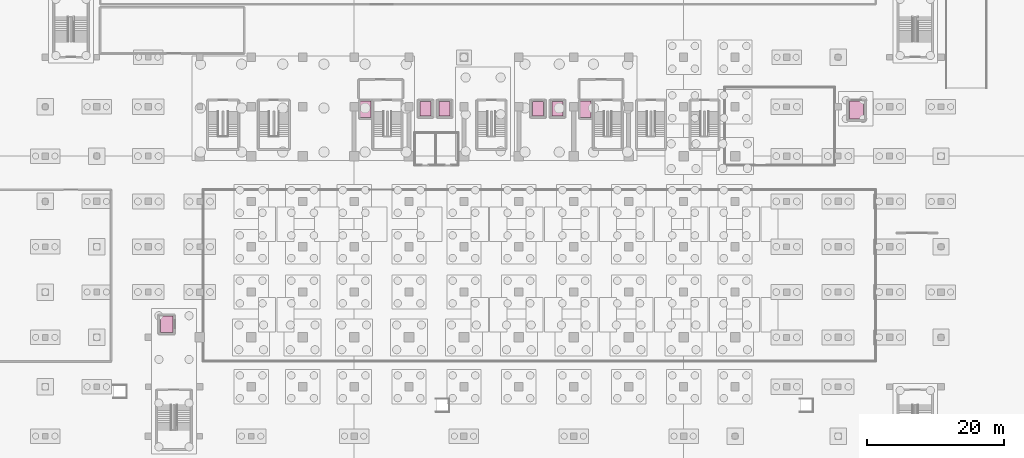
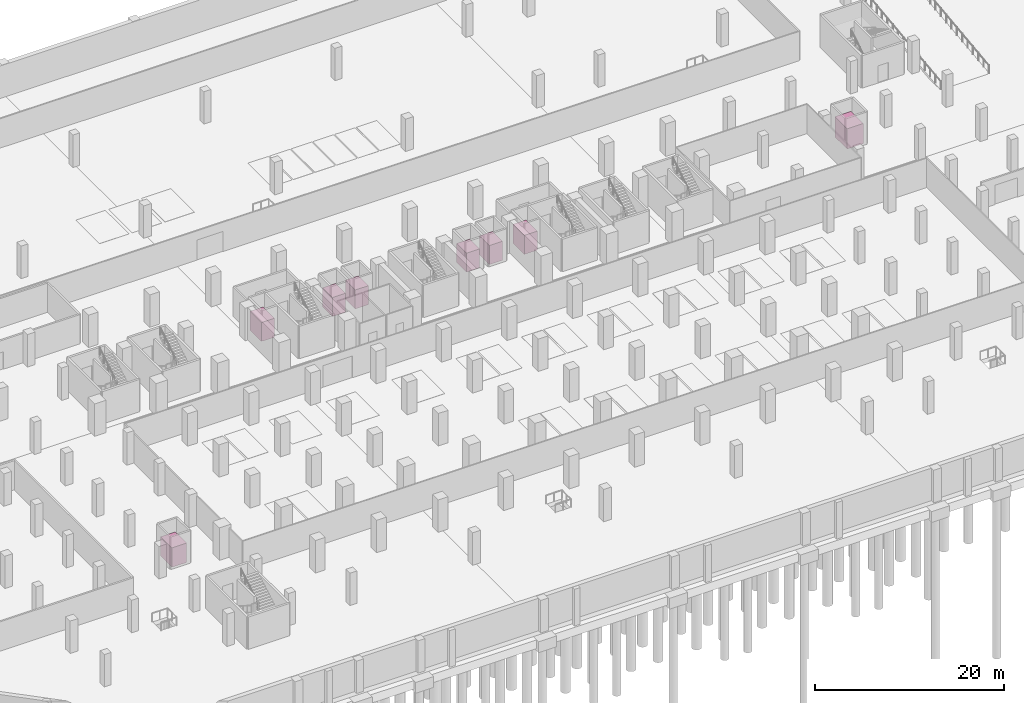
# One storey, part 26 of 26: 8 transport elements.
"""IFC4 building model written with IfcOpenShell, lengths in metres."""

from ifc_helpers import new_model, si_unit, direction, frame, origin, origin_2d, place, context, subcontext, project, spatial, rectangle, extrude, material, type_object, element, save


model = new_model("IFC4")

# Units and contexts
model_context = context("Model", 3, precision=1e-05, world=origin(), true_north=direction((0.0, 1.0)))
body_context = subcontext(model_context, "Body", "Model", "MODEL_VIEW")
ifc_project = project(units=[si_unit("LENGTHUNIT", "METRE"), si_unit("AREAUNIT", "SQUARE_METRE"), si_unit("VOLUMEUNIT", "CUBIC_METRE"), si_unit("PLANEANGLEUNIT", "RADIAN"), si_unit("MASSUNIT", "GRAM", prefix="KILO")], contexts=[model_context])

# Site, building, storey
site_placement = place(None, origin())
site = spatial("IfcSite", under=ifc_project, at=site_placement, CompositionType="ELEMENT")
building_placement = place(site_placement, origin())
building = spatial("IfcBuilding", under=site, at=building_placement, Name="Akrevak Sports Hall", CompositionType="ELEMENT")
storey_placement = place(building_placement, frame((0.0, 0.0, -9.0)))
storey = spatial("IfcBuildingStorey", under=building, at=storey_placement, Name="B02", CompositionType="ELEMENT", Elevation=-9.0)

# Transport elements
ifc_material = material(Name="Brushed Stainless Steel 304", Category="steel")
transport_element_type_1 = type_object("IfcTransportElementType", Name="ARC-LIFT-LF-FF1", PredefinedType="ELEVATOR", material=ifc_material)
transport_element_1_placement = place(storey_placement, frame((61.625, 62.02490234375, 0.0), z_axis=(0.0, 0.0, 1.0), x_axis=(1.0, 0.0, 0.0)))
element("IfcTransportElement", 1, at=transport_element_1_placement, inside=storey, type_object=transport_element_type_1, Name="Emergency Firefighting Lift LF-FF1", PredefinedType="ELEVATOR", context=body_context, shape_type="SweptSolid", body=[
    extrude(rectangle(XDim=1.60009765625, YDim=2.39990234375, at=origin_2d()), origin(), (0.0, 0.0, 1.0), 2.449951171875),
])
transport_element_type_2 = type_object("IfcTransportElementType", Name="ARC-LIFT-LF-FF2", PredefinedType="ELEVATOR", material=ifc_material)
transport_element_2_placement = place(storey_placement, frame((93.72509765625, 62.02490234375, 0.0), z_axis=(0.0, 0.0, 1.0), x_axis=(1.0, 0.0, 0.0)))
element("IfcTransportElement", 2, at=transport_element_2_placement, inside=storey, type_object=transport_element_type_2, Name="Emergency Firefighting Lift LF-FF2", PredefinedType="ELEVATOR", context=body_context, shape_type="SweptSolid", body=[
    extrude(rectangle(XDim=1.60009765625, YDim=2.39990234375, at=origin_2d()), origin(), (0.0, 0.0, 1.0), 2.449951171875),
])
transport_element_type_3 = type_object("IfcTransportElementType", Name="ARC-LIFT-LF-G1", PredefinedType="ELEVATOR", material=ifc_material)
transport_element_3_placement = place(storey_placement, frame((32.699951171875, 30.699951171875, 0.0), z_axis=(0.0, 0.0, 1.0), x_axis=(1.0, 0.0, 0.0)))
element("IfcTransportElement", 3, at=transport_element_3_placement, inside=storey, type_object=transport_element_type_3, Name="Sports & Clinic Stretcher Lift LF-G1", PredefinedType="ELEVATOR", context=body_context, shape_type="SweptSolid", body=[
    extrude(rectangle(XDim=1.800048828125, YDim=2.39990234375, at=origin_2d()), origin(), (0.0, 0.0, 1.0), 2.5),
])
transport_element_type_4 = type_object("IfcTransportElementType", Name="ARC-LIFT-LF-P1", PredefinedType="ELEVATOR", material=ifc_material)
transport_element_4_placement = place(storey_placement, frame((70.39990234375, 62.10009765625, 0.0), z_axis=(0.0, 0.0, 1.0), x_axis=(1.0, 0.0, 0.0)))
element("IfcTransportElement", 4, at=transport_element_4_placement, inside=storey, type_object=transport_element_type_4, Name="Tower Passenger Lift LF-P1", PredefinedType="ELEVATOR", context=body_context, shape_type="SweptSolid", body=[
    extrude(rectangle(XDim=1.60009765625, YDim=2.10009765625, at=origin_2d()), origin(), (0.0, 0.0, 1.0), 2.449951171875),
])
transport_element_type_5 = type_object("IfcTransportElementType", Name="ARC-LIFT-LF-P2", PredefinedType="ELEVATOR", material=ifc_material)
transport_element_5_placement = place(storey_placement, frame((73.199951171875, 62.10009765625, 0.0), z_axis=(0.0, 0.0, 1.0), x_axis=(1.0, 0.0, 0.0)))
element("IfcTransportElement", 5, at=transport_element_5_placement, inside=storey, type_object=transport_element_type_5, Name="Tower Passenger Lift LF-P2", PredefinedType="ELEVATOR", context=body_context, shape_type="SweptSolid", body=[
    extrude(rectangle(XDim=1.60009765625, YDim=2.10009765625, at=origin_2d()), origin(), (0.0, 0.0, 1.0), 2.449951171875),
])
transport_element_type_6 = type_object("IfcTransportElementType", Name="ARC-LIFT-LF-P3", PredefinedType="ELEVATOR", material=ifc_material)
transport_element_6_placement = place(storey_placement, frame((86.800048828125, 62.10009765625, 0.0), z_axis=(0.0, 0.0, 1.0), x_axis=(1.0, 0.0, 0.0)))
element("IfcTransportElement", 6, at=transport_element_6_placement, inside=storey, type_object=transport_element_type_6, Name="Tower Passenger Lift LF-P3", PredefinedType="ELEVATOR", context=body_context, shape_type="SweptSolid", body=[
    extrude(rectangle(XDim=1.60009765625, YDim=2.10009765625, at=origin_2d()), origin(), (0.0, 0.0, 1.0), 2.449951171875),
])
transport_element_type_7 = type_object("IfcTransportElementType", Name="ARC-LIFT-LF-P4", PredefinedType="ELEVATOR", material=ifc_material)
transport_element_7_placement = place(storey_placement, frame((89.60009765625, 62.10009765625, 0.0), z_axis=(0.0, 0.0, 1.0), x_axis=(1.0, 0.0, 0.0)))
element("IfcTransportElement", 7, at=transport_element_7_placement, inside=storey, type_object=transport_element_type_7, Name="Tower Passenger Lift LF-P4", PredefinedType="ELEVATOR", context=body_context, shape_type="SweptSolid", body=[
    extrude(rectangle(XDim=1.60009765625, YDim=2.10009765625, at=origin_2d()), origin(), (0.0, 0.0, 1.0), 2.449951171875),
])
transport_element_type_8 = type_object("IfcTransportElementType", Name="ARC-LIFT-LF-S1", PredefinedType="ELEVATOR", material=ifc_material)
transport_element_8_placement = place(storey_placement, frame((133.199951171875, 61.89990234375, 0.0), z_axis=(0.0, 0.0, 1.0), x_axis=(1.0, 0.0, 0.0)))
element("IfcTransportElement", 8, at=transport_element_8_placement, inside=storey, type_object=transport_element_type_8, Name="Arena Equipment & Goods Lift LF-S1", PredefinedType="ELEVATOR", context=body_context, shape_type="SweptSolid", body=[
    extrude(rectangle(XDim=2.0, YDim=2.60009765625, at=origin_2d()), origin(), (0.0, 0.0, 1.0), 2.60009765625),
])

save(model, "model.ifc")
